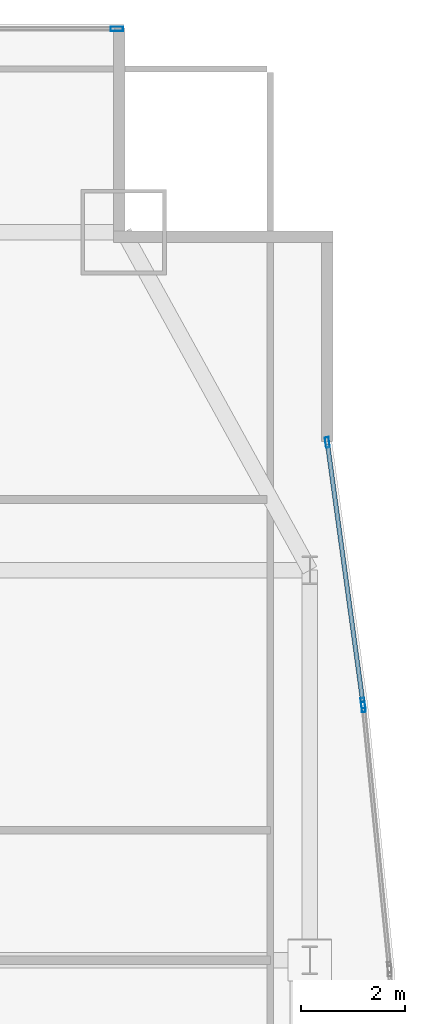
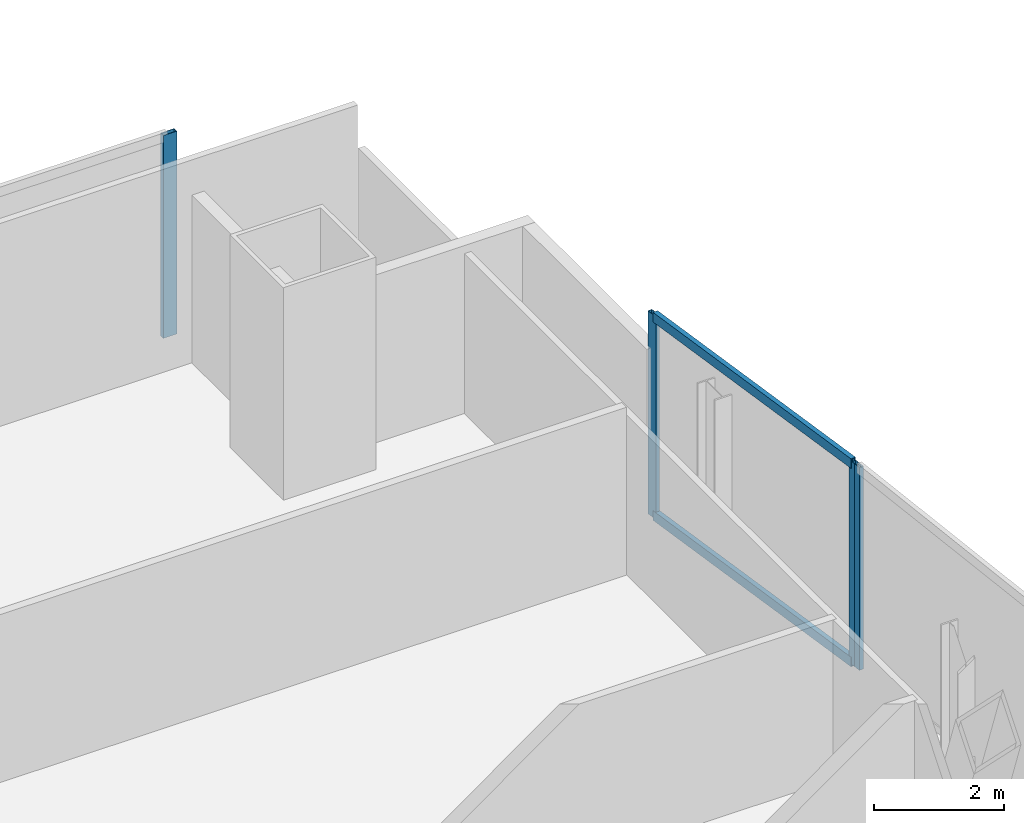
# One storey, part 25 of 35: 6 members, 3 elements without a shape of their own.
"""IFC4 building model written with IfcOpenShell, lengths in metres."""

from ifc_helpers import new_model, si_unit, direction, frame, origin, origin_2d, place, context, subcontext, project, spatial, hollow_rectangle, extrude, material, material_profile, profile_set, type_object, element, aggregate, save


model = new_model("IFC4")

# Units and contexts
model_context = context("Model", 3, precision=1e-05, world=origin(), true_north=direction((0.0, 1.0)))
body_context = subcontext(model_context, "Body", "Model", "MODEL_VIEW")
ifc_project = project(units=[si_unit("LENGTHUNIT", "METRE"), si_unit("AREAUNIT", "SQUARE_METRE"), si_unit("VOLUMEUNIT", "CUBIC_METRE"), si_unit("PLANEANGLEUNIT", "RADIAN"), si_unit("MASSUNIT", "GRAM", prefix="KILO")], contexts=[model_context])

# Site, building, storey
site_placement = place(None, origin())
site = spatial("IfcSite", under=ifc_project, at=site_placement, CompositionType="ELEMENT")
building_placement = place(site_placement, origin())
building = spatial("IfcBuilding", under=site, at=building_placement, Name="Khoronbel Lancet Exchange", CompositionType="ELEMENT")
storey_placement = place(building_placement, frame((0.0, 0.0, 37.800048828125)))
storey = spatial("IfcBuildingStorey", under=building, at=storey_placement, Name="L08", CompositionType="ELEMENT", Elevation=37.800048828125)

# Curtain wall, member
ifc_material_1 = material(Name="Low-E Solar Control Insulating Glass", Category="glass")
curtain_wall_type_1 = type_object("IfcCurtainWallType", Name="CW-1", PredefinedType="NOTDEFINED", material=ifc_material_1)
curtain_wall_1_placement = place(storey_placement, origin())
curtain_wall_1 = element("IfcCurtainWall", 1, at=curtain_wall_1_placement, inside=storey, type_object=curtain_wall_type_1, Name="Unitised curtain wall CW-L08-NEFLK", PredefinedType="NOTDEFINED")
ifc_material_2 = material(Name="Bronze-Anodised Aluminium 6063-T6", Category="aluminium")
ifc_material_profile_1 = material_profile(ifc_material_2, hollow_rectangle(XDim=0.0849609375, YDim=0.239990234375, WallThickness=0.006103515625, at=origin_2d()), Name="ALU MULLION 85x240")
ifc_profile_set_1 = profile_set([ifc_material_profile_1], Name="Bronze-Anodised Aluminium 6063-T6")
member_type_1 = type_object("IfcMemberType", Name="MEM-CWM1", PredefinedType="MULLION", material=ifc_profile_set_1)
member_1_placement = place(storey_placement, frame((67.91748046875, 53.610107421875, 0.0), z_axis=(0.0, 0.0, 1.0), x_axis=(0.0, -1.0, 0.0)))
member_1 = element("IfcMember", 2, at=member_1_placement, type_object=member_type_1, Name="CW1 mullion 1", PredefinedType="MULLION", context=body_context, shape_type="SweptSolid", body=[
    extrude(hollow_rectangle(XDim=0.0849609375, YDim=0.239990234375, WallThickness=0.006103515625, at=origin_2d()), origin(), (0.0, 0.0, 1.0), 3.820068359375),
])
aggregate(curtain_wall_1, [member_1])

# Curtain wall, members
curtain_wall_type_2 = type_object("IfcCurtainWallType", Name="CW-4", PredefinedType="NOTDEFINED", material=ifc_material_1)
curtain_wall_2_placement = place(storey_placement, origin())
curtain_wall_2 = element("IfcCurtainWall", 3, at=curtain_wall_2_placement, inside=storey, type_object=curtain_wall_type_2, Name="Unitised curtain wall CW-L08-E17", PredefinedType="NOTDEFINED")
ifc_material_profile_2 = material_profile(ifc_material_2, hollow_rectangle(XDim=0.074951171875, YDim=0.199951171875, WallThickness=0.0048828125, at=origin_2d()), Name="ALU MULLION 75x200")
ifc_profile_set_2 = profile_set([ifc_material_profile_2], Name="Bronze-Anodised Aluminium 6063-T6")
member_type_2 = type_object("IfcMemberType", Name="MEM-CWM2", PredefinedType="MULLION", material=ifc_profile_set_2)
member_2_placement = place(storey_placement, frame((71.965087890625, 45.65673828125, 0.0), z_axis=(0.0, 0.0, 1.0), x_axis=(0.990785557592, 0.135439945613, 0.0)))
member_2 = element("IfcMember", 4, at=member_2_placement, type_object=member_type_2, Name="CW4 mullion 1", PredefinedType="MULLION", context=body_context, shape_type="SweptSolid", body=[
    extrude(hollow_rectangle(XDim=0.074951171875, YDim=0.199951171875, WallThickness=0.0048828125, at=origin_2d()), origin(), (0.0, 0.0, 1.0), 3.820068359375),
])
member_3_placement = place(storey_placement, frame((72.650390625, 40.643310546875, 0.0), z_axis=(0.0, 0.0, 1.0), x_axis=(0.990785557592, 0.135439945613, 0.0)))
member_3 = element("IfcMember", 5, at=member_3_placement, type_object=member_type_2, Name="CW4 mullion 2", PredefinedType="MULLION", context=body_context, shape_type="SweptSolid", body=[
    extrude(hollow_rectangle(XDim=0.074951171875, YDim=0.199951171875, WallThickness=0.0048828125, at=origin_2d()), origin(), (0.0, 0.0, 1.0), 3.820068359375),
])

# Curtain wall, member
curtain_wall_3_placement = place(storey_placement, origin())
curtain_wall_3 = element("IfcCurtainWall", 6, at=curtain_wall_3_placement, inside=storey, type_object=curtain_wall_type_2, Name="Unitised curtain wall CW-L08-E18", PredefinedType="NOTDEFINED")
member_4_placement = place(storey_placement, frame((72.6591796875, 40.56884765625, 0.0), z_axis=(0.0, 0.0, 1.0), x_axis=(0.995027292608, 0.099602645371, 0.0)))
member_4 = element("IfcMember", 7, at=member_4_placement, type_object=member_type_2, Name="CW4 mullion 1", PredefinedType="MULLION", context=body_context, shape_type="SweptSolid", body=[
    extrude(hollow_rectangle(XDim=0.074951171875, YDim=0.199951171875, WallThickness=0.0048828125, at=origin_2d()), origin(), (0.0, 0.0, 1.0), 3.820068359375),
])
aggregate(curtain_wall_3, [member_4])

# Member
ifc_material_profile_3 = material_profile(ifc_material_2, hollow_rectangle(XDim=0.0849609375, YDim=0.179931640625, WallThickness=0.0048828125, at=origin_2d()), Name="ALU TRANSOM 85x180")
ifc_profile_set_3 = profile_set([ifc_material_profile_3], Name="Bronze-Anodised Aluminium 6063-T6")
member_type_3 = type_object("IfcMemberType", Name="MEM-CWT1", PredefinedType="USERDEFINED", material=ifc_profile_set_3)
member_5_placement = place(storey_placement, frame((71.97021484375, 45.61962890625, 0.04248046875), z_axis=(0.135412604416, -0.990789294737, 0.0), x_axis=(0.990789294737, 0.135412604416, 0.0)))
member_5 = element("IfcMember", 8, at=member_5_placement, type_object=member_type_3, Name="CW4 transom 1.1", ObjectType="TRANSOM", PredefinedType="USERDEFINED", context=body_context, shape_type="SweptSolid", body=[
    extrude(hollow_rectangle(XDim=0.0849609375, YDim=0.179931640625, WallThickness=0.0048828125, at=origin_2d()), origin(), (0.0, 0.0, 1.0), 4.985107421875),
])

member_6_placement = place(storey_placement, frame((71.97021484375, 45.61962890625, 3.77734375), z_axis=(0.135412604416, -0.990789294737, 0.0), x_axis=(0.990789294737, 0.135412604416, 0.0)))
member_6 = element("IfcMember", 9, at=member_6_placement, type_object=member_type_3, Name="CW4 transom 1.2", ObjectType="TRANSOM", PredefinedType="USERDEFINED", context=body_context, shape_type="SweptSolid", body=[
    extrude(hollow_rectangle(XDim=0.0849609375, YDim=0.179931640625, WallThickness=0.0048828125, at=origin_2d()), origin(), (0.0, 0.0, 1.0), 4.985107421875),
])

aggregate(curtain_wall_2, [member_2, member_3, member_5, member_6])

save(model, "model.ifc")
